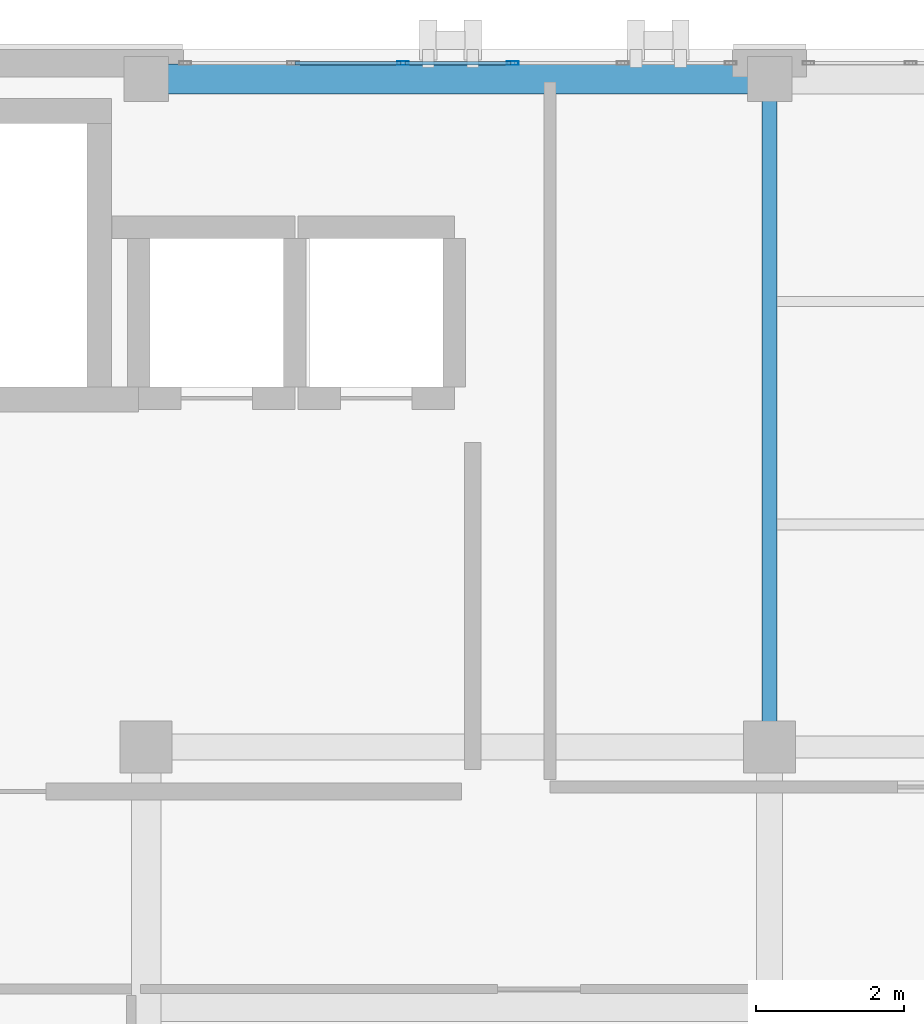
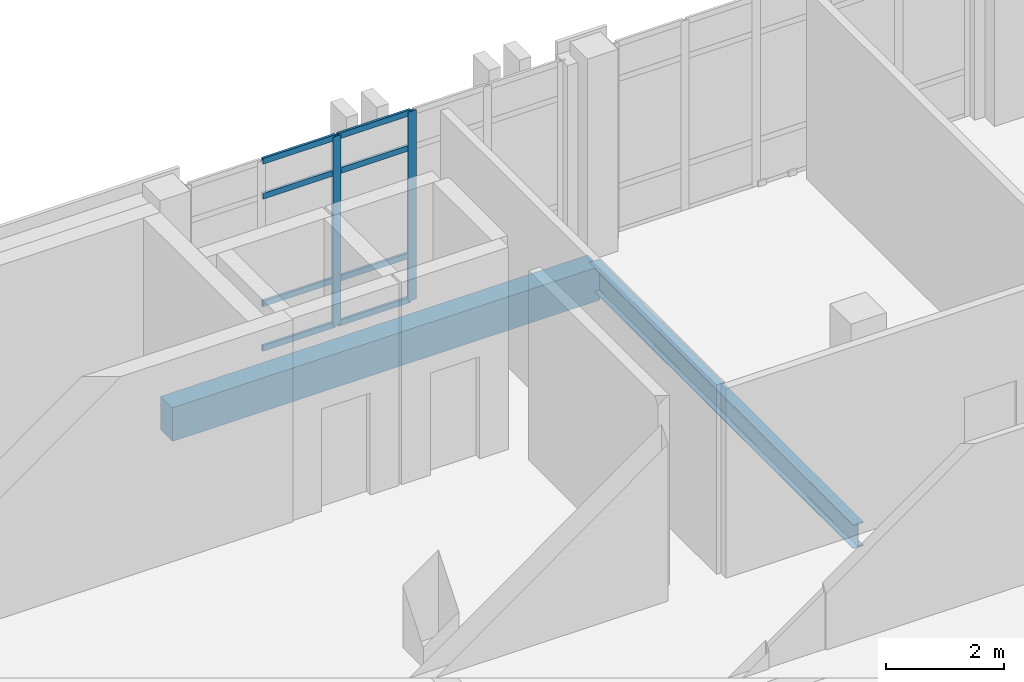
# One storey, part 47 of 77: 10 members, 2 beams, 1 element without a shape of its own.
"""IFC4 building model written with IfcOpenShell, lengths in metres."""

from ifc_helpers import new_model, si_unit, direction, frame, origin, origin_2d, place, context, subcontext, project, spatial, rectangle, hollow_rectangle, i_section, extrude, material, layer, layer_set, material_profile, profile_set, type_object, element, aggregate, save


model = new_model("IFC4")

# Units and contexts
model_context = context("Model", 3, precision=1e-05, world=origin(), true_north=direction((0.0, 1.0)))
body_context = subcontext(model_context, "Body", "Model", "MODEL_VIEW")
ifc_project = project(units=[si_unit("LENGTHUNIT", "METRE"), si_unit("AREAUNIT", "SQUARE_METRE"), si_unit("VOLUMEUNIT", "CUBIC_METRE"), si_unit("PLANEANGLEUNIT", "RADIAN"), si_unit("MASSUNIT", "GRAM", prefix="KILO")], contexts=[model_context])

# Site, building, storey
site_placement = place(None, origin())
site = spatial("IfcSite", under=ifc_project, at=site_placement, CompositionType="ELEMENT")
building_placement = place(site_placement, origin())
building = spatial("IfcBuilding", under=site, at=building_placement, Name="Qalavern Law Courts", CompositionType="ELEMENT")
storey_placement = place(building_placement, frame((0.0, 0.0, 27.0)))
storey = spatial("IfcBuildingStorey", under=building, at=storey_placement, Name="L06", CompositionType="ELEMENT", Elevation=27.0)

# Curtain wall, members
ifc_material_1 = material(Name="Anodised aluminium and insulated glazing", Category="aluminium")
ifc_layer = layer(ifc_material_1, 0.166015625)
ifc_layer_set = layer_set([ifc_layer], Name="Anodised aluminium and insulated glazing")
curtain_wall_type = type_object("IfcCurtainWallType", Name="ENV-CW-LIB", PredefinedType="USERDEFINED", material=ifc_layer_set)
curtain_wall_placement = place(storey_placement, origin())
curtain_wall = element("IfcCurtainWall", 1, at=curtain_wall_placement, inside=storey, type_object=curtain_wall_type, Name="V5 unitised curtain wall L06 north 4", ObjectType="UNITISED CURTAIN WALL", PredefinedType="USERDEFINED")
ifc_material_2 = material(Name="Anodised aluminium", Category="aluminium")
ifc_material_profile_1 = material_profile(ifc_material_2, hollow_rectangle(XDim=0.048095703125, YDim=0.159912109375, WallThickness=0.00390625, at=origin_2d()), Name="ALU MULLION 48x160")
ifc_profile_set_1 = profile_set([ifc_material_profile_1], Name="Anodised aluminium")
member_type_1 = type_object("IfcMemberType", Name="ENV-CWM-48x160", PredefinedType="MULLION", material=ifc_profile_set_1)
member_1_placement = place(storey_placement, frame((33.340087890625, 112.81494140625, 0.0), z_axis=(0.0, 0.0, 1.0), x_axis=(0.0, -1.0, 0.0)))
member_1 = element("IfcMember", 2, at=member_1_placement, type_object=member_type_1, Name="CW-05 mullion 3", PredefinedType="MULLION", context=body_context, shape_type="SweptSolid", body=[
    extrude(hollow_rectangle(XDim=0.048095703125, YDim=0.159912109375, WallThickness=0.00390625, at=origin_2d()), origin(), (0.0, 0.0, 1.0), 3.93505859375),
])
member_2_placement = place(storey_placement, frame((31.860107421875, 112.81494140625, 0.0), z_axis=(0.0, 0.0, 1.0), x_axis=(0.0, -1.0, 0.0)))
member_2 = element("IfcMember", 3, at=member_2_placement, type_object=member_type_1, Name="CW-05 mullion 4", PredefinedType="MULLION", context=body_context, shape_type="SweptSolid", body=[
    extrude(hollow_rectangle(XDim=0.048095703125, YDim=0.159912109375, WallThickness=0.00390625, at=origin_2d()), origin(), (0.0, 0.0, 1.0), 3.93505859375),
])
ifc_material_profile_2 = material_profile(ifc_material_2, hollow_rectangle(XDim=0.048095703125, YDim=0.1201171875, WallThickness=0.00390625, at=origin_2d()), Name="ALU TRANSOM 48x120")
ifc_profile_set_2 = profile_set([ifc_material_profile_2], Name="Anodised aluminium")
member_type_2 = type_object("IfcMemberType", Name="ENV-CWT-48x120", PredefinedType="USERDEFINED", material=ifc_profile_set_2)
member_3_placement = place(storey_placement, frame((33.31591796875, 112.81494140625, 0.02392578125), z_axis=(-1.0, 0.0, 0.0), x_axis=(0.0, -1.0, 0.0)))
member_3 = element("IfcMember", 4, at=member_3_placement, type_object=member_type_2, Name="CW-05 transom 3.1", ObjectType="TRANSOM", PredefinedType="USERDEFINED", context=body_context, shape_type="SweptSolid", body=[
    extrude(hollow_rectangle(XDim=0.048095703125, YDim=0.1201171875, WallThickness=0.00390625, at=origin_2d()), origin(), (0.0, 0.0, 1.0), 1.431884765625),
])
member_4_placement = place(storey_placement, frame((33.31591796875, 112.81494140625, 0.949951171875), z_axis=(-1.0, 0.0, 0.0), x_axis=(0.0, -1.0, 0.0)))
member_4 = element("IfcMember", 5, at=member_4_placement, type_object=member_type_2, Name="CW-05 transom 3.2", ObjectType="TRANSOM", PredefinedType="USERDEFINED", context=body_context, shape_type="SweptSolid", body=[
    extrude(hollow_rectangle(XDim=0.048095703125, YDim=0.1201171875, WallThickness=0.00390625, at=origin_2d()), origin(), (0.0, 0.0, 1.0), 1.431884765625),
])
member_5_placement = place(storey_placement, frame((33.31591796875, 112.81494140625, 3.18505859375), z_axis=(-1.0, 0.0, 0.0), x_axis=(0.0, -1.0, 0.0)))
member_5 = element("IfcMember", 6, at=member_5_placement, type_object=member_type_2, Name="CW-05 transom 3.3", ObjectType="TRANSOM", PredefinedType="USERDEFINED", context=body_context, shape_type="SweptSolid", body=[
    extrude(hollow_rectangle(XDim=0.048095703125, YDim=0.1201171875, WallThickness=0.00390625, at=origin_2d()), origin(), (0.0, 0.0, 1.0), 1.431884765625),
])
member_6_placement = place(storey_placement, frame((33.31591796875, 112.81494140625, 3.910888671875), z_axis=(-1.0, 0.0, 0.0), x_axis=(0.0, -1.0, 0.0)))
member_6 = element("IfcMember", 7, at=member_6_placement, type_object=member_type_2, Name="CW-05 transom 3.4", ObjectType="TRANSOM", PredefinedType="USERDEFINED", context=body_context, shape_type="SweptSolid", body=[
    extrude(hollow_rectangle(XDim=0.048095703125, YDim=0.1201171875, WallThickness=0.00390625, at=origin_2d()), origin(), (0.0, 0.0, 1.0), 1.431884765625),
])
member_7_placement = place(storey_placement, frame((31.8359375, 112.81494140625, 0.02392578125), z_axis=(-1.0, 0.0, 0.0), x_axis=(0.0, -1.0, 0.0)))
member_7 = element("IfcMember", 8, at=member_7_placement, type_object=member_type_2, Name="CW-05 transom 4.1", ObjectType="TRANSOM", PredefinedType="USERDEFINED", context=body_context, shape_type="SweptSolid", body=[
    extrude(hollow_rectangle(XDim=0.048095703125, YDim=0.1201171875, WallThickness=0.00390625, at=origin_2d()), origin(), (0.0, 0.0, 1.0), 1.431884765625),
])
member_8_placement = place(storey_placement, frame((31.8359375, 112.81494140625, 0.949951171875), z_axis=(-1.0, 0.0, 0.0), x_axis=(0.0, -1.0, 0.0)))
member_8 = element("IfcMember", 9, at=member_8_placement, type_object=member_type_2, Name="CW-05 transom 4.2", ObjectType="TRANSOM", PredefinedType="USERDEFINED", context=body_context, shape_type="SweptSolid", body=[
    extrude(hollow_rectangle(XDim=0.048095703125, YDim=0.1201171875, WallThickness=0.00390625, at=origin_2d()), origin(), (0.0, 0.0, 1.0), 1.431884765625),
])
member_9_placement = place(storey_placement, frame((31.8359375, 112.81494140625, 3.18505859375), z_axis=(-1.0, 0.0, 0.0), x_axis=(0.0, -1.0, 0.0)))
member_9 = element("IfcMember", 10, at=member_9_placement, type_object=member_type_2, Name="CW-05 transom 4.3", ObjectType="TRANSOM", PredefinedType="USERDEFINED", context=body_context, shape_type="SweptSolid", body=[
    extrude(hollow_rectangle(XDim=0.048095703125, YDim=0.1201171875, WallThickness=0.00390625, at=origin_2d()), origin(), (0.0, 0.0, 1.0), 1.431884765625),
])
member_10_placement = place(storey_placement, frame((31.8359375, 112.81494140625, 3.910888671875), z_axis=(-1.0, 0.0, 0.0), x_axis=(0.0, -1.0, 0.0)))
member_10 = element("IfcMember", 11, at=member_10_placement, type_object=member_type_2, Name="CW-05 transom 4.4", ObjectType="TRANSOM", PredefinedType="USERDEFINED", context=body_context, shape_type="SweptSolid", body=[
    extrude(hollow_rectangle(XDim=0.048095703125, YDim=0.1201171875, WallThickness=0.00390625, at=origin_2d()), origin(), (0.0, 0.0, 1.0), 1.431884765625),
])
aggregate(curtain_wall, [member_1, member_2, member_3, member_4, member_5, member_6, member_7, member_8, member_9, member_10])

# Beams
ifc_material_3 = material(Name="Steel S355", Category="steel")
ifc_material_profile_3 = material_profile(ifc_material_3, i_section(OverallWidth=0.199951171875, OverallDepth=0.5, WebThickness=0.01025390625, FlangeThickness=0.01611328125, FilletRadius=0.02099609375, at=origin_2d()), Name="IPE 500")
ifc_profile_set_3 = profile_set([ifc_material_profile_3], Name="Steel S355")
beam_type_1 = type_object("IfcBeamType", Name="STR-BM-IPE500", PredefinedType="BEAM", material=ifc_profile_set_3)
beam_1_placement = place(storey_placement, frame((36.800048828125, 103.60009765625, -0.52001953125), z_axis=(0.0, 1.0, 0.0), x_axis=(-1.0, 0.0, 0.0)))
element("IfcBeam", 12, at=beam_1_placement, inside=storey, type_object=beam_type_1, Name="V5 Y-beam 2-2 L06", PredefinedType="BEAM", context=body_context, shape_type="SweptSolid", body=[
    extrude(i_section(OverallWidth=0.199951171875, OverallDepth=0.5, WebThickness=0.01025390625, FlangeThickness=0.01611328125, FilletRadius=0.02099609375, at=origin_2d()), origin(), (0.0, 0.0, 1.0), 9.0),
])
ifc_material_4 = material(Name="Concrete C40/50", Category="concrete")
ifc_material_profile_4 = material_profile(ifc_material_4, rectangle(XDim=0.39990234375, YDim=0.699951171875, at=origin_2d()), Name="RC 400x700")
ifc_profile_set_4 = profile_set([ifc_material_profile_4], Name="Concrete C40/50")
beam_type_2 = type_object("IfcBeamType", Name="STR-SP-RC400x700", PredefinedType="SPANDREL", material=ifc_profile_set_4)
beam_2_placement = place(storey_placement, frame((28.39990234375, 112.60009765625, -0.6201171875), z_axis=(1.0, 0.0, 0.0), x_axis=(0.0, 1.0, 0.0)))
element("IfcBeam", 13, at=beam_2_placement, inside=storey, type_object=beam_type_2, Name="V5 X-beam 3-1 L06", PredefinedType="SPANDREL", context=body_context, shape_type="SweptSolid", body=[
    extrude(rectangle(XDim=0.39990234375, YDim=0.699951171875, at=origin_2d()), origin(), (0.0, 0.0, 1.0), 8.400146484375),
])

save(model, "model.ifc")
